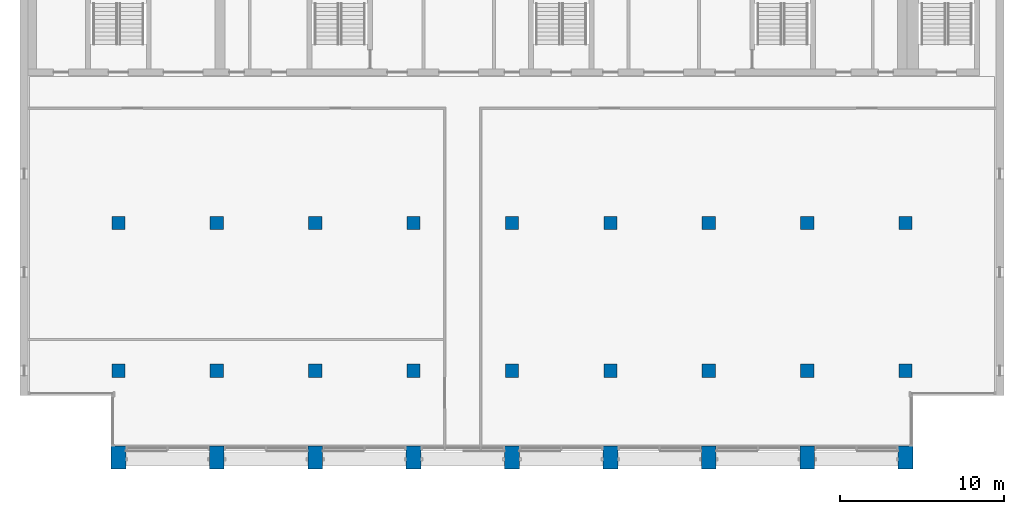
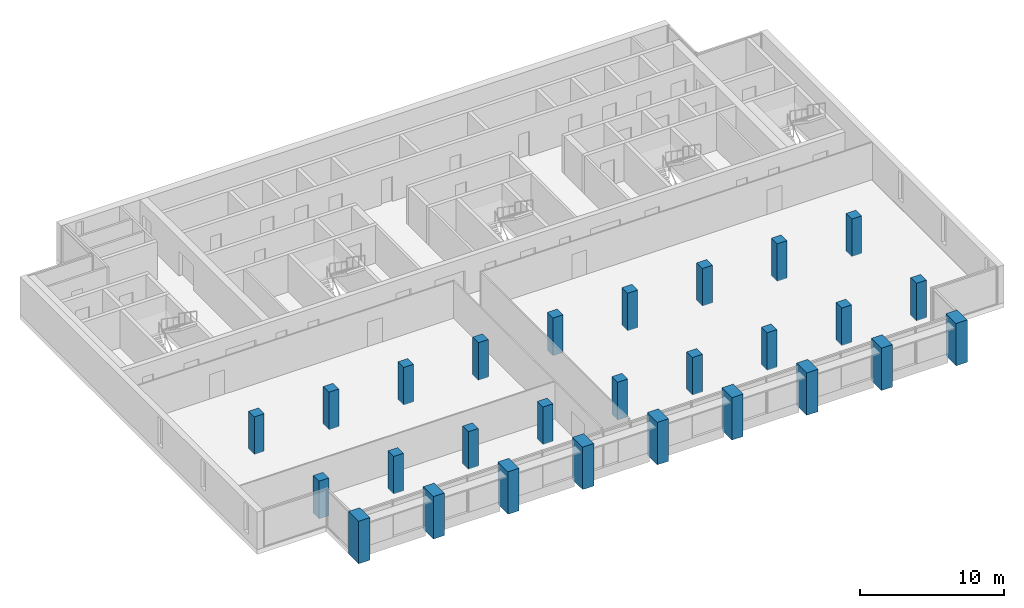
# One storey, part 1 of 14: 27 columns.
"""IFC4 building model written with IfcOpenShell, lengths in metres."""

from ifc_helpers import new_model, si_unit, direction, frame, origin, origin_2d, place, context, subcontext, project, spatial, rectangle, extrude, material, material_profile, profile_set, type_object, element, save


model = new_model("IFC4")

# Units and contexts
model_context = context("Model", 3, precision=1e-05, world=origin(), true_north=direction((0.0, 1.0)))
body_context = subcontext(model_context, "Body", "Model", "MODEL_VIEW")
ifc_project = project(units=[si_unit("LENGTHUNIT", "METRE"), si_unit("AREAUNIT", "SQUARE_METRE"), si_unit("VOLUMEUNIT", "CUBIC_METRE"), si_unit("PLANEANGLEUNIT", "RADIAN"), si_unit("MASSUNIT", "GRAM", prefix="KILO")], contexts=[model_context])

# Site, building, storey
site_placement = place(None, origin())
site = spatial("IfcSite", under=ifc_project, at=site_placement, CompositionType="ELEMENT")
building_placement = place(site_placement, origin())
building = spatial("IfcBuilding", under=site, at=building_placement, Name="Calvaro Tower", CompositionType="ELEMENT")
storey_placement = place(building_placement, frame((0.0, 0.0, 262.14990234375)))
storey = spatial("IfcBuildingStorey", under=building, at=storey_placement, Name="L66", CompositionType="ELEMENT", Elevation=262.14990234375)

# Columns
ifc_material_1 = material(Name="Concrete C40/50", Category="concrete")
ifc_material_profile_1 = material_profile(ifc_material_1, rectangle(XDim=0.800048828125, YDim=0.800048828125, at=origin_2d()), Name="RC 800x800")
ifc_profile_set_1 = profile_set([ifc_material_profile_1], Name="Concrete C40/50")
column_type_1 = type_object("IfcColumnType", Name="Column 800x800 C40/50", PredefinedType="COLUMN", material=ifc_profile_set_1)
for number, where, z_axis, x_axis, name in (
    (1, (12.0, 10.0, 0.0), (0.0, 0.0, 1.0), (1.0, 0.0, 0.0), "Column 3B"),
    (2, (12.0, 19.0, 0.0), (0.0, 0.0, 1.0), (1.0, 0.0, 0.0), "Column 3C"),
    (3, (18.0, 10.0, 0.0), (0.0, 0.0, 1.0), (1.0, 0.0, 0.0), "Column 4B"),
    (4, (18.0, 19.0, 0.0), (0.0, 0.0, 1.0), (1.0, 0.0, 0.0), "Column 4C"),
    (5, (24.0, 10.0, 0.0), (0.0, 0.0, 1.0), (1.0, 0.0, 0.0), "Column 5B"),
    (6, (24.0, 19.0, 0.0), (0.0, 0.0, 1.0), (1.0, 0.0, 0.0), "Column 5C"),
    (7, (30.0, 10.0, 0.0), (0.0, 0.0, 1.0), (1.0, 0.0, 0.0), "Column 6B"),
    (8, (30.0, 19.0, 0.0), (0.0, 0.0, 1.0), (1.0, 0.0, 0.0), "Column 6C"),
    (9, (36.0, 10.0, 0.0), (0.0, 0.0, 1.0), (1.0, 0.0, 0.0), "Column 7B"),
    (10, (36.0, 19.0, 0.0), (0.0, 0.0, 1.0), (1.0, 0.0, 0.0), "Column 7C"),
    (11, (42.0, 10.0, 0.0), (0.0, 0.0, 1.0), (1.0, 0.0, 0.0), "Column 8B"),
    (12, (42.0, 19.0, 0.0), (0.0, 0.0, 1.0), (1.0, 0.0, 0.0), "Column 8C"),
    (13, (48.0, 10.0, 0.0), (0.0, 0.0, 1.0), (1.0, 0.0, 0.0), "Column 9B"),
    (14, (48.0, 19.0, 0.0), (0.0, 0.0, 1.0), (1.0, 0.0, 0.0), "Column 9C"),
    (15, (54.0, 10.0, 0.0), (0.0, 0.0, 1.0), (1.0, 0.0, 0.0), "Column 10B"),
    (16, (54.0, 19.0, 0.0), (0.0, 0.0, 1.0), (1.0, 0.0, 0.0), "Column 10C"),
    (17, (60.0, 10.0, 0.0), (0.0, 0.0, 1.0), (1.0, 0.0, 0.0), "Column 11B"),
    (18, (60.0, 19.0, 0.0), (0.0, 0.0, 1.0), (1.0, 0.0, 0.0), "Column 11C"),
):
    element("IfcColumn", number, at=place(storey_placement, frame(where, z_axis=z_axis, x_axis=x_axis)), inside=storey, type_object=column_type_1, Name=name, PredefinedType="COLUMN", context=body_context, shape_type="SweptSolid", body=[
        extrude(rectangle(XDim=0.800048828125, YDim=0.800048828125, at=origin_2d()), origin(), (0.0, 0.0, 1.0), 3.2001953125),
    ])
ifc_material_2 = material(Name="Concrete C40/50", Category="concrete")
ifc_material_profile_2 = material_profile(ifc_material_2, rectangle(XDim=0.89990234375, YDim=1.39990234375, at=origin_2d()), Name="RC 900x1400")
ifc_profile_set_2 = profile_set([ifc_material_profile_2], Name="Concrete C40/50")
column_type_2 = type_object("IfcColumnType", Name="Pier 900x1400 C40/50", PredefinedType="COLUMN", material=ifc_profile_set_2)
for number, where, z_axis, x_axis, name in (
    (19, (12.0, 4.699951171875, -0.39990234375), (0.0, 0.0, 1.0), (1.0, 0.0, 0.0), "South pier 3"),
    (20, (18.0, 4.699951171875, -0.39990234375), (0.0, 0.0, 1.0), (1.0, 0.0, 0.0), "South pier 4"),
    (21, (24.0, 4.699951171875, -0.39990234375), (0.0, 0.0, 1.0), (1.0, 0.0, 0.0), "South pier 5"),
    (22, (30.0, 4.699951171875, -0.39990234375), (0.0, 0.0, 1.0), (1.0, 0.0, 0.0), "South pier 6"),
    (23, (36.0, 4.699951171875, -0.39990234375), (0.0, 0.0, 1.0), (1.0, 0.0, 0.0), "South pier 7"),
    (24, (42.0, 4.699951171875, -0.39990234375), (0.0, 0.0, 1.0), (1.0, 0.0, 0.0), "South pier 8"),
    (25, (48.0, 4.699951171875, -0.39990234375), (0.0, 0.0, 1.0), (1.0, 0.0, 0.0), "South pier 9"),
    (26, (54.0, 4.699951171875, -0.39990234375), (0.0, 0.0, 1.0), (1.0, 0.0, 0.0), "South pier 10"),
    (27, (60.0, 4.699951171875, -0.39990234375), (0.0, 0.0, 1.0), (1.0, 0.0, 0.0), "South pier 11"),
):
    element("IfcColumn", number, at=place(storey_placement, frame(where, z_axis=z_axis, x_axis=x_axis)), inside=storey, type_object=column_type_2, Name=name, PredefinedType="COLUMN", context=body_context, shape_type="SweptSolid", body=[
        extrude(rectangle(XDim=0.89990234375, YDim=1.39990234375, at=origin_2d()), origin(), (0.0, 0.0, 1.0), 3.60009765625),
    ])

save(model, "model.ifc")
